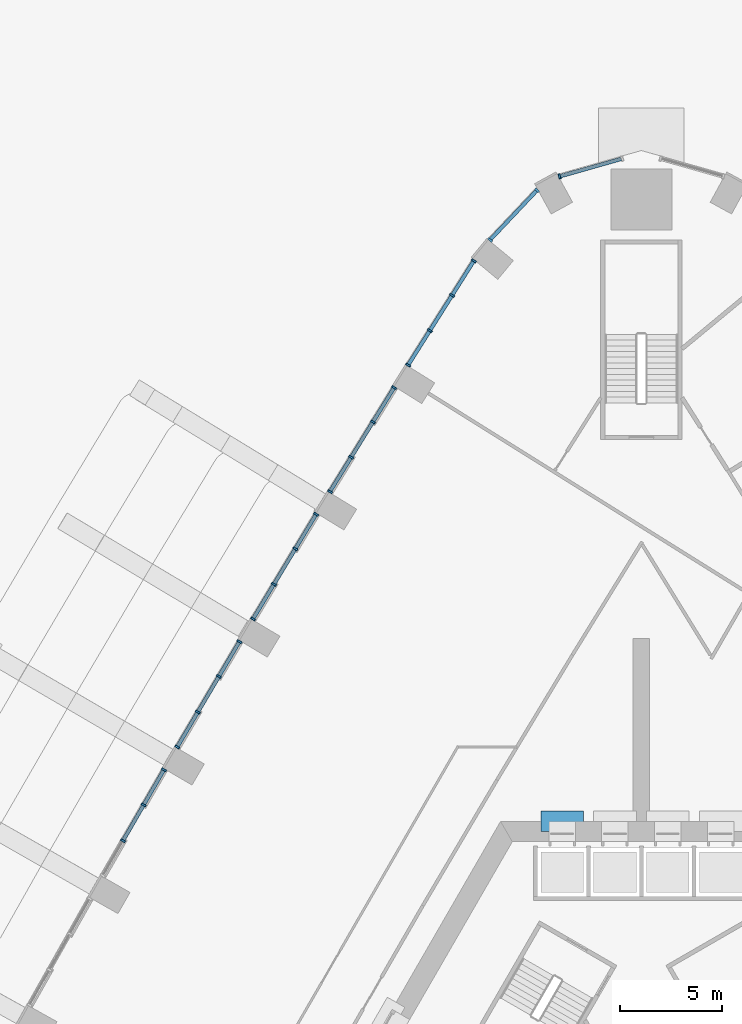
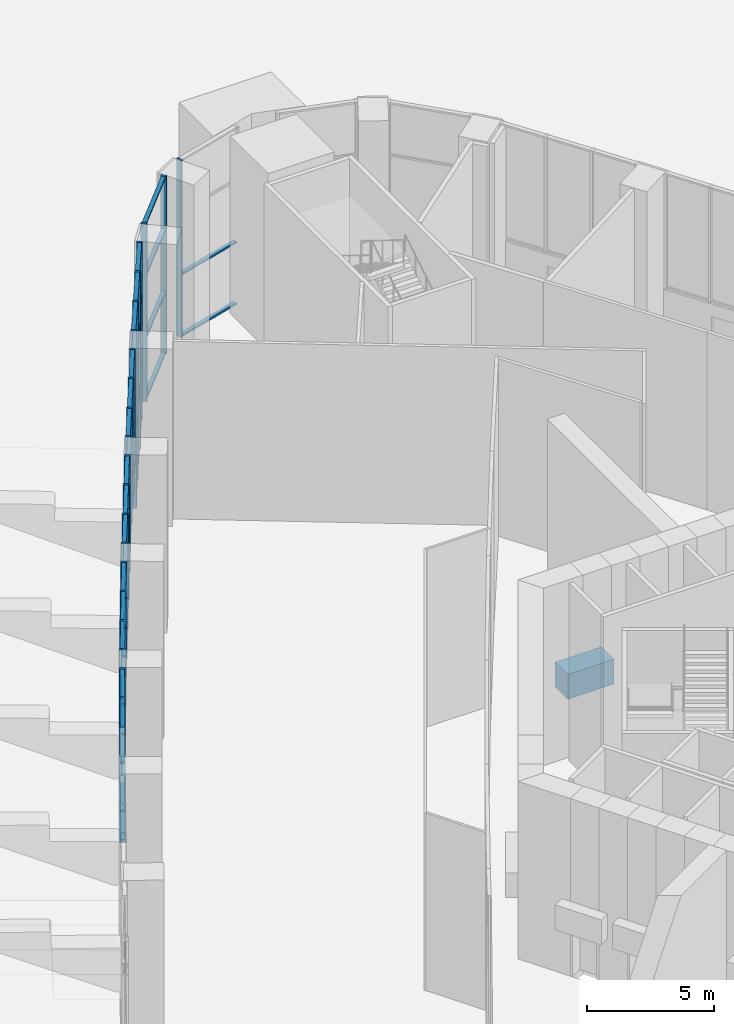
# One storey, part 8 of 36: 62 members, 1 beam, 7 elements without a shape of their own.
"""IFC4 building model written with IfcOpenShell, lengths in metres."""

from ifc_helpers import new_model, si_unit, direction, frame, origin, origin_2d, place, context, subcontext, project, spatial, rectangle, extrude, material, material_profile, profile_set, type_object, element, aggregate, save


model = new_model("IFC4")

# Units and contexts
model_context = context("Model", 3, precision=1e-05, world=origin(), true_north=direction((0.0, 1.0)))
body_context = subcontext(model_context, "Body", "Model", "MODEL_VIEW")
ifc_project = project(units=[si_unit("LENGTHUNIT", "METRE"), si_unit("AREAUNIT", "SQUARE_METRE"), si_unit("VOLUMEUNIT", "CUBIC_METRE"), si_unit("PLANEANGLEUNIT", "RADIAN"), si_unit("MASSUNIT", "GRAM", prefix="KILO")], contexts=[model_context])

# Site, building, storey
site_placement = place(None, origin())
site = spatial("IfcSite", under=ifc_project, at=site_placement, CompositionType="ELEMENT")
building_placement = place(site_placement, origin())
building = spatial("IfcBuilding", under=site, at=building_placement, Name="Entoto Arch Interchange Tower", CompositionType="ELEMENT")
storey_placement = place(building_placement, origin())
storey = spatial("IfcBuildingStorey", under=building, at=storey_placement, Name="L00", CompositionType="ELEMENT", Elevation=0.0)

# Beam
ifc_material_1 = material(Name="Concrete C60/75", Category="concrete")
ifc_material_profile_1 = material_profile(ifc_material_1, rectangle(XDim=1.0, YDim=1.199951171875, at=origin_2d()))
ifc_profile_set_1 = profile_set([ifc_material_profile_1], Name="Concrete C60/75")
beam_type = type_object("IfcBeamType", Name="Coupling beam RC 1000x1200 C60/75", PredefinedType="BEAM", material=ifc_profile_set_1)
beam_placement = place(storey_placement, frame((-2.85009765625, 14.5, 3.0), z_axis=(-1.0, 0.0, 0.0), x_axis=(0.0, -1.0, 0.0)))
element("IfcBeam", 1, at=beam_placement, inside=storey, type_object=beam_type, Name="Coupling beam N L00", PredefinedType="BEAM", context=body_context, shape_type="SweptSolid", body=[
    extrude(rectangle(XDim=1.0, YDim=1.199951171875, at=origin_2d()), origin(), (0.0, 0.0, 1.0), 2.099853515625),
])

# Curtain wall, member
ifc_material_2 = material(Name="Aluminium, anodised", Category="aluminium")
curtain_wall_type = type_object("IfcCurtainWallType", Name="CURTAIN WALL GATE HALL", PredefinedType="NOTDEFINED", material=ifc_material_2)
curtain_wall_1_placement = place(storey_placement, origin())
curtain_wall_1 = element("IfcCurtainWall", 2, at=curtain_wall_1_placement, inside=storey, type_object=curtain_wall_type, Name="Gate Hall glazing N-03 L00", PredefinedType="NOTDEFINED")
ifc_material_profile_2 = material_profile(ifc_material_2, rectangle(XDim=0.25, YDim=0.10009765625, at=origin_2d()))
ifc_profile_set_2 = profile_set([ifc_material_profile_2], Name="Aluminium, anodised")
member_type_1 = type_object("IfcMemberType", Name="MULLION GATE HALL 100x250", PredefinedType="MULLION", material=ifc_profile_set_2)
member_1_placement = place(storey_placement, frame((-4.02587890625, 46.23876953125, 0.0), z_axis=(0.0, 0.0, 1.0), x_axis=(0.273280275934, -0.961934452437, 0.0)))
member_1 = element("IfcMember", 3, at=member_1_placement, type_object=member_type_1, Name="CWG mullion 2", PredefinedType="MULLION", context=body_context, shape_type="SweptSolid", body=[
    extrude(rectangle(XDim=0.25, YDim=0.10009765625, at=origin_2d()), origin(), (0.0, 0.0, 1.0), 8.550048828125),
])

# Curtain wall, members
curtain_wall_2_placement = place(storey_placement, origin())
curtain_wall_2 = element("IfcCurtainWall", 4, at=curtain_wall_2_placement, inside=storey, type_object=curtain_wall_type, Name="Gate Hall glazing N-04 L00", PredefinedType="NOTDEFINED")
member_2_placement = place(storey_placement, frame((-5.13427734375, 45.55859375, 0.0), z_axis=(0.0, 0.0, 1.0), x_axis=(0.726725176069, -0.686928321201, 0.0)))
member_2 = element("IfcMember", 5, at=member_2_placement, type_object=member_type_1, Name="CWG mullion 1", PredefinedType="MULLION", context=body_context, shape_type="SweptSolid", body=[
    extrude(rectangle(XDim=0.25, YDim=0.10009765625, at=origin_2d()), origin(), (0.0, 0.0, 1.0), 8.550048828125),
])
member_3_placement = place(storey_placement, frame((-7.44775390625, 43.111328125, 0.0), z_axis=(0.0, 0.0, 1.0), x_axis=(0.726725176069, -0.686928321201, 0.0)))
member_3 = element("IfcMember", 6, at=member_3_placement, type_object=member_type_1, Name="CWG mullion 2", PredefinedType="MULLION", context=body_context, shape_type="SweptSolid", body=[
    extrude(rectangle(XDim=0.25, YDim=0.10009765625, at=origin_2d()), origin(), (0.0, 0.0, 1.0), 8.550048828125),
])

curtain_wall_3_placement = place(storey_placement, origin())
curtain_wall_3 = element("IfcCurtainWall", 7, at=curtain_wall_3_placement, inside=storey, type_object=curtain_wall_type, Name="Gate Hall glazing NW-01 L00", PredefinedType="NOTDEFINED")
member_4_placement = place(storey_placement, frame((-8.24462890625, 42.082763671875, 0.0), z_axis=(0.0, 0.0, 1.0), x_axis=(0.845959022564, -0.533247908708, 0.0)))
member_4 = element("IfcMember", 8, at=member_4_placement, type_object=member_type_1, Name="CWG mullion 1", PredefinedType="MULLION", context=body_context, shape_type="SweptSolid", body=[
    extrude(rectangle(XDim=0.25, YDim=0.10009765625, at=origin_2d()), origin(), (0.0, 0.0, 1.0), 8.550048828125),
])
member_5_placement = place(storey_placement, frame((-9.313232421875, 40.387451171875, 0.0), z_axis=(0.0, 0.0, 1.0), x_axis=(0.845959022564, -0.533247908708, 0.0)))
member_5 = element("IfcMember", 9, at=member_5_placement, type_object=member_type_1, Name="CWG mullion 2", PredefinedType="MULLION", context=body_context, shape_type="SweptSolid", body=[
    extrude(rectangle(XDim=0.25, YDim=0.10009765625, at=origin_2d()), origin(), (0.0, 0.0, 1.0), 8.550048828125),
])
member_6_placement = place(storey_placement, frame((-10.40869140625, 38.649658203125, 0.0), z_axis=(0.0, 0.0, 1.0), x_axis=(0.845959022564, -0.533247908708, 0.0)))
member_6 = element("IfcMember", 10, at=member_6_placement, type_object=member_type_1, Name="CWG mullion 3", PredefinedType="MULLION", context=body_context, shape_type="SweptSolid", body=[
    extrude(rectangle(XDim=0.25, YDim=0.10009765625, at=origin_2d()), origin(), (0.0, 0.0, 1.0), 8.550048828125),
])
member_7_placement = place(storey_placement, frame((-11.477294921875, 36.954345703125, 0.0), z_axis=(0.0, 0.0, 1.0), x_axis=(0.845959022564, -0.533247908708, 0.0)))
member_7 = element("IfcMember", 11, at=member_7_placement, type_object=member_type_1, Name="CWG mullion 4", PredefinedType="MULLION", context=body_context, shape_type="SweptSolid", body=[
    extrude(rectangle(XDim=0.25, YDim=0.10009765625, at=origin_2d()), origin(), (0.0, 0.0, 1.0), 8.550048828125),
])

curtain_wall_4_placement = place(storey_placement, origin())
curtain_wall_4 = element("IfcCurtainWall", 12, at=curtain_wall_4_placement, inside=storey, type_object=curtain_wall_type, Name="Gate Hall glazing NW-02 L00", PredefinedType="NOTDEFINED")
member_8_placement = place(storey_placement, frame((-12.165283203125, 35.849365234375, 3.0), z_axis=(0.0, 0.0, 1.0), x_axis=(0.851096618494, -0.525009091339, 0.0)))
member_8 = element("IfcMember", 13, at=member_8_placement, type_object=member_type_1, Name="CWG mullion 1", PredefinedType="MULLION", context=body_context, shape_type="SweptSolid", body=[
    extrude(rectangle(XDim=0.25, YDim=0.10009765625, at=origin_2d()), origin(), (0.0, 0.0, 1.0), 5.550048828125),
])
member_9_placement = place(storey_placement, frame((-13.209716796875, 34.15625, 3.0), z_axis=(0.0, 0.0, 1.0), x_axis=(0.851096618494, -0.525009091339, 0.0)))
member_9 = element("IfcMember", 14, at=member_9_placement, type_object=member_type_1, Name="CWG mullion 2", PredefinedType="MULLION", context=body_context, shape_type="SweptSolid", body=[
    extrude(rectangle(XDim=0.25, YDim=0.10009765625, at=origin_2d()), origin(), (0.0, 0.0, 1.0), 5.550048828125),
])
member_10_placement = place(storey_placement, frame((-14.2802734375, 32.420654296875, 3.0), z_axis=(0.0, 0.0, 1.0), x_axis=(0.851096618494, -0.525009091339, 0.0)))
member_10 = element("IfcMember", 15, at=member_10_placement, type_object=member_type_1, Name="CWG mullion 3", PredefinedType="MULLION", context=body_context, shape_type="SweptSolid", body=[
    extrude(rectangle(XDim=0.25, YDim=0.10009765625, at=origin_2d()), origin(), (0.0, 0.0, 1.0), 5.550048828125),
])
member_11_placement = place(storey_placement, frame((-15.32470703125, 30.7275390625, 3.0), z_axis=(0.0, 0.0, 1.0), x_axis=(0.851096618494, -0.525009091339, 0.0)))
member_11 = element("IfcMember", 16, at=member_11_placement, type_object=member_type_1, Name="CWG mullion 4", PredefinedType="MULLION", context=body_context, shape_type="SweptSolid", body=[
    extrude(rectangle(XDim=0.25, YDim=0.10009765625, at=origin_2d()), origin(), (0.0, 0.0, 1.0), 5.550048828125),
])

curtain_wall_5_placement = place(storey_placement, origin())
curtain_wall_5 = element("IfcCurtainWall", 17, at=curtain_wall_5_placement, inside=storey, type_object=curtain_wall_type, Name="Gate Hall glazing NW-03 L00", PredefinedType="NOTDEFINED")
member_12_placement = place(storey_placement, frame((-16.001953125, 29.615234375, 3.0), z_axis=(0.0, 0.0, 1.0), x_axis=(0.856177687614, -0.516681494958, 0.0)))
member_12 = element("IfcMember", 18, at=member_12_placement, type_object=member_type_1, Name="CWG mullion 1", PredefinedType="MULLION", context=body_context, shape_type="SweptSolid", body=[
    extrude(rectangle(XDim=0.25, YDim=0.10009765625, at=origin_2d()), origin(), (0.0, 0.0, 1.0), 5.550048828125),
])
member_13_placement = place(storey_placement, frame((-17.02978515625, 27.912109375, 3.0), z_axis=(0.0, 0.0, 1.0), x_axis=(0.856177687614, -0.516681494958, 0.0)))
member_13 = element("IfcMember", 19, at=member_13_placement, type_object=member_type_1, Name="CWG mullion 2", PredefinedType="MULLION", context=body_context, shape_type="SweptSolid", body=[
    extrude(rectangle(XDim=0.25, YDim=0.10009765625, at=origin_2d()), origin(), (0.0, 0.0, 1.0), 5.550048828125),
])
member_14_placement = place(storey_placement, frame((-18.083251953125, 26.166015625, 3.0), z_axis=(0.0, 0.0, 1.0), x_axis=(0.856177687614, -0.516681494958, 0.0)))
member_14 = element("IfcMember", 20, at=member_14_placement, type_object=member_type_1, Name="CWG mullion 3", PredefinedType="MULLION", context=body_context, shape_type="SweptSolid", body=[
    extrude(rectangle(XDim=0.25, YDim=0.10009765625, at=origin_2d()), origin(), (0.0, 0.0, 1.0), 5.550048828125),
])
member_15_placement = place(storey_placement, frame((-19.111083984375, 24.462890625, 3.0), z_axis=(0.0, 0.0, 1.0), x_axis=(0.856177687614, -0.516681494958, 0.0)))
member_15 = element("IfcMember", 21, at=member_15_placement, type_object=member_type_1, Name="CWG mullion 4", PredefinedType="MULLION", context=body_context, shape_type="SweptSolid", body=[
    extrude(rectangle(XDim=0.25, YDim=0.10009765625, at=origin_2d()), origin(), (0.0, 0.0, 1.0), 5.550048828125),
])

curtain_wall_6_placement = place(storey_placement, origin())
curtain_wall_6 = element("IfcCurtainWall", 22, at=curtain_wall_6_placement, inside=storey, type_object=curtain_wall_type, Name="Gate Hall glazing NW-04 L00", PredefinedType="NOTDEFINED")
member_16_placement = place(storey_placement, frame((-19.7783203125, 23.344970703125, 3.0), z_axis=(0.0, 0.0, 1.0), x_axis=(0.861063165733, -0.508498008469, 0.0)))
member_16 = element("IfcMember", 23, at=member_16_placement, type_object=member_type_1, Name="CWG mullion 1", PredefinedType="MULLION", context=body_context, shape_type="SweptSolid", body=[
    extrude(rectangle(XDim=0.25, YDim=0.10009765625, at=origin_2d()), origin(), (0.0, 0.0, 1.0), 5.550048828125),
])
member_17_placement = place(storey_placement, frame((-20.7900390625, 21.632080078125, 3.0), z_axis=(0.0, 0.0, 1.0), x_axis=(0.861063165733, -0.508498008469, 0.0)))
member_17 = element("IfcMember", 24, at=member_17_placement, type_object=member_type_1, Name="CWG mullion 2", PredefinedType="MULLION", context=body_context, shape_type="SweptSolid", body=[
    extrude(rectangle(XDim=0.25, YDim=0.10009765625, at=origin_2d()), origin(), (0.0, 0.0, 1.0), 5.550048828125),
])
member_18_placement = place(storey_placement, frame((-21.826904296875, 19.8759765625, 3.0), z_axis=(0.0, 0.0, 1.0), x_axis=(0.861063165733, -0.508498008469, 0.0)))
member_18 = element("IfcMember", 25, at=member_18_placement, type_object=member_type_1, Name="CWG mullion 3", PredefinedType="MULLION", context=body_context, shape_type="SweptSolid", body=[
    extrude(rectangle(XDim=0.25, YDim=0.10009765625, at=origin_2d()), origin(), (0.0, 0.0, 1.0), 5.550048828125),
])
member_19_placement = place(storey_placement, frame((-22.838623046875, 18.1630859375, 3.0), z_axis=(0.0, 0.0, 1.0), x_axis=(0.861063165733, -0.508498008469, 0.0)))
member_19 = element("IfcMember", 26, at=member_19_placement, type_object=member_type_1, Name="CWG mullion 4", PredefinedType="MULLION", context=body_context, shape_type="SweptSolid", body=[
    extrude(rectangle(XDim=0.25, YDim=0.10009765625, at=origin_2d()), origin(), (0.0, 0.0, 1.0), 5.550048828125),
])

curtain_wall_7_placement = place(storey_placement, origin())
curtain_wall_7 = element("IfcCurtainWall", 27, at=curtain_wall_7_placement, inside=storey, type_object=curtain_wall_type, Name="Gate Hall glazing NW-05 L00", PredefinedType="NOTDEFINED")
member_20_placement = place(storey_placement, frame((-23.493896484375, 17.03759765625, 3.0), z_axis=(0.0, 0.0, 1.0), x_axis=(0.865929596866, -0.500165905747, 0.0)))
member_20 = element("IfcMember", 28, at=member_20_placement, type_object=member_type_1, Name="CWG mullion 1", PredefinedType="MULLION", context=body_context, shape_type="SweptSolid", body=[
    extrude(rectangle(XDim=0.25, YDim=0.10009765625, at=origin_2d()), origin(), (0.0, 0.0, 1.0), 5.550048828125),
])
member_21_placement = place(storey_placement, frame((-24.48876953125, 15.315673828125, 3.0), z_axis=(0.0, 0.0, 1.0), x_axis=(0.865929596866, -0.500165905747, 0.0)))
member_21 = element("IfcMember", 29, at=member_21_placement, type_object=member_type_1, Name="CWG mullion 2", PredefinedType="MULLION", context=body_context, shape_type="SweptSolid", body=[
    extrude(rectangle(XDim=0.25, YDim=0.10009765625, at=origin_2d()), origin(), (0.0, 0.0, 1.0), 5.550048828125),
])
member_22_placement = place(storey_placement, frame((-25.50830078125, 13.55029296875, 3.0), z_axis=(0.0, 0.0, 1.0), x_axis=(0.865929596866, -0.500165905747, 0.0)))
member_22 = element("IfcMember", 30, at=member_22_placement, type_object=member_type_1, Name="CWG mullion 3", PredefinedType="MULLION", context=body_context, shape_type="SweptSolid", body=[
    extrude(rectangle(XDim=0.25, YDim=0.10009765625, at=origin_2d()), origin(), (0.0, 0.0, 1.0), 5.550048828125),
])

# Member
ifc_material_profile_3 = material_profile(ifc_material_2, rectangle(XDim=0.179931640625, YDim=0.080078125, at=origin_2d()))
ifc_profile_set_3 = profile_set([ifc_material_profile_3], Name="Aluminium, anodised")
member_type_2 = type_object("IfcMemberType", Name="TRANSOM GATE HALL 80x180", PredefinedType="USERDEFINED", material=ifc_profile_set_3)
member_23_placement = place(storey_placement, frame((-0.9951171875, 47.099609375, 0.0400390625), z_axis=(-0.961950644588, -0.273223273858, 0.0), x_axis=(0.273223273858, -0.961950644588, 0.0)))
member_23 = element("IfcMember", 31, at=member_23_placement, type_object=member_type_2, Name="CWG transom 1.1", ObjectType="TRANSOM", PredefinedType="USERDEFINED", context=body_context, shape_type="SweptSolid", body=[
    extrude(rectangle(XDim=0.179931640625, YDim=0.080078125, at=origin_2d()), origin(), (0.0, 0.0, 1.0), 3.1005859375),
])

member_24_placement = place(storey_placement, frame((-0.9951171875, 47.099609375, 3.0), z_axis=(-0.961950644588, -0.273223273858, 0.0), x_axis=(0.273223273858, -0.961950644588, 0.0)))
member_24 = element("IfcMember", 32, at=member_24_placement, type_object=member_type_2, Name="CWG transom 1.2", ObjectType="TRANSOM", PredefinedType="USERDEFINED", context=body_context, shape_type="SweptSolid", body=[
    extrude(rectangle(XDim=0.179931640625, YDim=0.080078125, at=origin_2d()), origin(), (0.0, 0.0, 1.0), 3.1005859375),
])

aggregate(curtain_wall_1, [member_1, member_23, member_24])

member_25_placement = place(storey_placement, frame((-5.168701171875, 45.522216796875, 0.0400390625), z_axis=(-0.686952560838, -0.726702263075, 0.0), x_axis=(0.726702263075, -0.686952560838, 0.0)))
member_25 = element("IfcMember", 33, at=member_25_placement, type_object=member_type_2, Name="CWG transom 1.1", ObjectType="TRANSOM", PredefinedType="USERDEFINED", context=body_context, shape_type="SweptSolid", body=[
    extrude(rectangle(XDim=0.179931640625, YDim=0.080078125, at=origin_2d()), origin(), (0.0, 0.0, 1.0), 3.267578125),
])

member_26_placement = place(storey_placement, frame((-5.168701171875, 45.522216796875, 3.0), z_axis=(-0.686952560838, -0.726702263075, 0.0), x_axis=(0.726702263075, -0.686952560838, 0.0)))
member_26 = element("IfcMember", 34, at=member_26_placement, type_object=member_type_2, Name="CWG transom 1.2", ObjectType="TRANSOM", PredefinedType="USERDEFINED", context=body_context, shape_type="SweptSolid", body=[
    extrude(rectangle(XDim=0.179931640625, YDim=0.080078125, at=origin_2d()), origin(), (0.0, 0.0, 1.0), 3.267578125),
])

member_27_placement = place(storey_placement, frame((-5.168701171875, 45.522216796875, 6.0), z_axis=(-0.686952560838, -0.726702263075, 0.0), x_axis=(0.726702263075, -0.686952560838, 0.0)))
member_27 = element("IfcMember", 35, at=member_27_placement, type_object=member_type_2, Name="CWG transom 1.3", ObjectType="TRANSOM", PredefinedType="USERDEFINED", context=body_context, shape_type="SweptSolid", body=[
    extrude(rectangle(XDim=0.179931640625, YDim=0.080078125, at=origin_2d()), origin(), (0.0, 0.0, 1.0), 3.267578125),
])

member_28_placement = place(storey_placement, frame((-5.168701171875, 45.522216796875, 8.510009765625), z_axis=(-0.686952560838, -0.726702263075, 0.0), x_axis=(0.726702263075, -0.686952560838, 0.0)))
member_28 = element("IfcMember", 36, at=member_28_placement, type_object=member_type_2, Name="CWG transom 1.4", ObjectType="TRANSOM", PredefinedType="USERDEFINED", context=body_context, shape_type="SweptSolid", body=[
    extrude(rectangle(XDim=0.179931640625, YDim=0.080078125, at=origin_2d()), origin(), (0.0, 0.0, 1.0), 3.267578125),
])

aggregate(curtain_wall_2, [member_2, member_3, member_25, member_26, member_27, member_28])

member_29_placement = place(storey_placement, frame((-8.271240234375, 42.040283203125, 0.0400390625), z_axis=(-0.533302918138, -0.845924345025, 0.0), x_axis=(0.845924345025, -0.533302918138, 0.0)))
member_29 = element("IfcMember", 37, at=member_29_placement, type_object=member_type_2, Name="CWG transom 1.1", ObjectType="TRANSOM", PredefinedType="USERDEFINED", context=body_context, shape_type="SweptSolid", body=[
    extrude(rectangle(XDim=0.179931640625, YDim=0.080078125, at=origin_2d()), origin(), (0.0, 0.0, 1.0), 1.904052734375),
])

member_30_placement = place(storey_placement, frame((-8.271240234375, 42.040283203125, 3.0), z_axis=(-0.533302918138, -0.845924345025, 0.0), x_axis=(0.845924345025, -0.533302918138, 0.0)))
member_30 = element("IfcMember", 38, at=member_30_placement, type_object=member_type_2, Name="CWG transom 1.2", ObjectType="TRANSOM", PredefinedType="USERDEFINED", context=body_context, shape_type="SweptSolid", body=[
    extrude(rectangle(XDim=0.179931640625, YDim=0.080078125, at=origin_2d()), origin(), (0.0, 0.0, 1.0), 1.904052734375),
])

member_31_placement = place(storey_placement, frame((-8.271240234375, 42.040283203125, 6.0), z_axis=(-0.533302918138, -0.845924345025, 0.0), x_axis=(0.845924345025, -0.533302918138, 0.0)))
member_31 = element("IfcMember", 39, at=member_31_placement, type_object=member_type_2, Name="CWG transom 1.3", ObjectType="TRANSOM", PredefinedType="USERDEFINED", context=body_context, shape_type="SweptSolid", body=[
    extrude(rectangle(XDim=0.179931640625, YDim=0.080078125, at=origin_2d()), origin(), (0.0, 0.0, 1.0), 1.904052734375),
])

member_32_placement = place(storey_placement, frame((-8.271240234375, 42.040283203125, 8.510009765625), z_axis=(-0.533302918138, -0.845924345025, 0.0), x_axis=(0.845924345025, -0.533302918138, 0.0)))
member_32 = element("IfcMember", 40, at=member_32_placement, type_object=member_type_2, Name="CWG transom 1.4", ObjectType="TRANSOM", PredefinedType="USERDEFINED", context=body_context, shape_type="SweptSolid", body=[
    extrude(rectangle(XDim=0.179931640625, YDim=0.080078125, at=origin_2d()), origin(), (0.0, 0.0, 1.0), 1.904052734375),
])

member_33_placement = place(storey_placement, frame((-9.340087890625, 40.344970703125, 0.0400390625), z_axis=(-0.533240670635, -0.845963585021, 0.0), x_axis=(0.845963585021, -0.533240670635, 0.0)))
member_33 = element("IfcMember", 41, at=member_33_placement, type_object=member_type_2, Name="CWG transom 2.1", ObjectType="TRANSOM", PredefinedType="USERDEFINED", context=body_context, shape_type="SweptSolid", body=[
    extrude(rectangle(XDim=0.179931640625, YDim=0.080078125, at=origin_2d()), origin(), (0.0, 0.0, 1.0), 1.9541015625),
])

member_34_placement = place(storey_placement, frame((-9.340087890625, 40.344970703125, 3.0), z_axis=(-0.533240670635, -0.845963585021, 0.0), x_axis=(0.845963585021, -0.533240670635, 0.0)))
member_34 = element("IfcMember", 42, at=member_34_placement, type_object=member_type_2, Name="CWG transom 2.2", ObjectType="TRANSOM", PredefinedType="USERDEFINED", context=body_context, shape_type="SweptSolid", body=[
    extrude(rectangle(XDim=0.179931640625, YDim=0.080078125, at=origin_2d()), origin(), (0.0, 0.0, 1.0), 1.9541015625),
])

member_35_placement = place(storey_placement, frame((-9.340087890625, 40.344970703125, 6.0), z_axis=(-0.533240670635, -0.845963585021, 0.0), x_axis=(0.845963585021, -0.533240670635, 0.0)))
member_35 = element("IfcMember", 43, at=member_35_placement, type_object=member_type_2, Name="CWG transom 2.3", ObjectType="TRANSOM", PredefinedType="USERDEFINED", context=body_context, shape_type="SweptSolid", body=[
    extrude(rectangle(XDim=0.179931640625, YDim=0.080078125, at=origin_2d()), origin(), (0.0, 0.0, 1.0), 1.9541015625),
])

member_36_placement = place(storey_placement, frame((-9.340087890625, 40.344970703125, 8.510009765625), z_axis=(-0.533240670635, -0.845963585021, 0.0), x_axis=(0.845963585021, -0.533240670635, 0.0)))
member_36 = element("IfcMember", 44, at=member_36_placement, type_object=member_type_2, Name="CWG transom 2.4", ObjectType="TRANSOM", PredefinedType="USERDEFINED", context=body_context, shape_type="SweptSolid", body=[
    extrude(rectangle(XDim=0.179931640625, YDim=0.080078125, at=origin_2d()), origin(), (0.0, 0.0, 1.0), 1.9541015625),
])

member_37_placement = place(storey_placement, frame((-10.435302734375, 38.607421875, 0.0400390625), z_axis=(-0.533245074876, -0.845960808856, 0.0), x_axis=(0.845960808856, -0.533245074876, 0.0)))
member_37 = element("IfcMember", 45, at=member_37_placement, type_object=member_type_2, Name="CWG transom 3.1", ObjectType="TRANSOM", PredefinedType="USERDEFINED", context=body_context, shape_type="SweptSolid", body=[
    extrude(rectangle(XDim=0.179931640625, YDim=0.080078125, at=origin_2d()), origin(), (0.0, 0.0, 1.0), 1.904052734375),
])

member_38_placement = place(storey_placement, frame((-10.435302734375, 38.607421875, 3.0), z_axis=(-0.533245074876, -0.845960808856, 0.0), x_axis=(0.845960808856, -0.533245074876, 0.0)))
member_38 = element("IfcMember", 46, at=member_38_placement, type_object=member_type_2, Name="CWG transom 3.2", ObjectType="TRANSOM", PredefinedType="USERDEFINED", context=body_context, shape_type="SweptSolid", body=[
    extrude(rectangle(XDim=0.179931640625, YDim=0.080078125, at=origin_2d()), origin(), (0.0, 0.0, 1.0), 1.904052734375),
])

member_39_placement = place(storey_placement, frame((-10.435302734375, 38.607421875, 6.0), z_axis=(-0.533245074876, -0.845960808856, 0.0), x_axis=(0.845960808856, -0.533245074876, 0.0)))
member_39 = element("IfcMember", 47, at=member_39_placement, type_object=member_type_2, Name="CWG transom 3.3", ObjectType="TRANSOM", PredefinedType="USERDEFINED", context=body_context, shape_type="SweptSolid", body=[
    extrude(rectangle(XDim=0.179931640625, YDim=0.080078125, at=origin_2d()), origin(), (0.0, 0.0, 1.0), 1.904052734375),
])

member_40_placement = place(storey_placement, frame((-10.435302734375, 38.607421875, 8.510009765625), z_axis=(-0.533245074876, -0.845960808856, 0.0), x_axis=(0.845960808856, -0.533245074876, 0.0)))
member_40 = element("IfcMember", 48, at=member_40_placement, type_object=member_type_2, Name="CWG transom 3.4", ObjectType="TRANSOM", PredefinedType="USERDEFINED", context=body_context, shape_type="SweptSolid", body=[
    extrude(rectangle(XDim=0.179931640625, YDim=0.080078125, at=origin_2d()), origin(), (0.0, 0.0, 1.0), 1.904052734375),
])

aggregate(curtain_wall_3, [member_4, member_5, member_6, member_7, member_29, member_30, member_31, member_32, member_33, member_34, member_35, member_36, member_37, member_38, member_39, member_40])

member_41_placement = place(storey_placement, frame((-12.19140625, 35.806884765625, 3.0400390625), z_axis=(-0.525041611336, -0.851076557288, 0.0), x_axis=(0.851076557288, -0.525041611336, 0.0)))
member_41 = element("IfcMember", 49, at=member_41_placement, type_object=member_type_2, Name="CWG transom 1.1", ObjectType="TRANSOM", PredefinedType="USERDEFINED", context=body_context, shape_type="SweptSolid", body=[
    extrude(rectangle(XDim=0.179931640625, YDim=0.080078125, at=origin_2d()), origin(), (0.0, 0.0, 1.0), 1.88916015625),
])

member_42_placement = place(storey_placement, frame((-12.19140625, 35.806884765625, 8.510009765625), z_axis=(-0.525041611336, -0.851076557288, 0.0), x_axis=(0.851076557288, -0.525041611336, 0.0)))
member_42 = element("IfcMember", 50, at=member_42_placement, type_object=member_type_2, Name="CWG transom 1.2", ObjectType="TRANSOM", PredefinedType="USERDEFINED", context=body_context, shape_type="SweptSolid", body=[
    extrude(rectangle(XDim=0.179931640625, YDim=0.080078125, at=origin_2d()), origin(), (0.0, 0.0, 1.0), 1.88916015625),
])

member_43_placement = place(storey_placement, frame((-13.23583984375, 34.11376953125, 3.0400390625), z_axis=(-0.525045252391, -0.851074311057, 0.0), x_axis=(0.851074311057, -0.525045252391, 0.0)))
member_43 = element("IfcMember", 51, at=member_43_placement, type_object=member_type_2, Name="CWG transom 2.1", ObjectType="TRANSOM", PredefinedType="USERDEFINED", context=body_context, shape_type="SweptSolid", body=[
    extrude(rectangle(XDim=0.179931640625, YDim=0.080078125, at=origin_2d()), origin(), (0.0, 0.0, 1.0), 1.939453125),
])

member_44_placement = place(storey_placement, frame((-13.23583984375, 34.11376953125, 8.510009765625), z_axis=(-0.525045252391, -0.851074311057, 0.0), x_axis=(0.851074311057, -0.525045252391, 0.0)))
member_44 = element("IfcMember", 52, at=member_44_placement, type_object=member_type_2, Name="CWG transom 2.2", ObjectType="TRANSOM", PredefinedType="USERDEFINED", context=body_context, shape_type="SweptSolid", body=[
    extrude(rectangle(XDim=0.179931640625, YDim=0.080078125, at=origin_2d()), origin(), (0.0, 0.0, 1.0), 1.939453125),
])

member_45_placement = place(storey_placement, frame((-14.306640625, 32.378173828125, 3.0400390625), z_axis=(-0.524983872161, -0.851112174729, 0.0), x_axis=(0.851112174729, -0.524983872161, 0.0)))
member_45 = element("IfcMember", 53, at=member_45_placement, type_object=member_type_2, Name="CWG transom 3.1", ObjectType="TRANSOM", PredefinedType="USERDEFINED", context=body_context, shape_type="SweptSolid", body=[
    extrude(rectangle(XDim=0.179931640625, YDim=0.080078125, at=origin_2d()), origin(), (0.0, 0.0, 1.0), 1.889404296875),
])

member_46_placement = place(storey_placement, frame((-14.306640625, 32.378173828125, 8.510009765625), z_axis=(-0.524983872161, -0.851112174729, 0.0), x_axis=(0.851112174729, -0.524983872161, 0.0)))
member_46 = element("IfcMember", 54, at=member_46_placement, type_object=member_type_2, Name="CWG transom 3.2", ObjectType="TRANSOM", PredefinedType="USERDEFINED", context=body_context, shape_type="SweptSolid", body=[
    extrude(rectangle(XDim=0.179931640625, YDim=0.080078125, at=origin_2d()), origin(), (0.0, 0.0, 1.0), 1.889404296875),
])

aggregate(curtain_wall_4, [member_8, member_9, member_10, member_11, member_41, member_42, member_43, member_44, member_45, member_46])

member_47_placement = place(storey_placement, frame((-16.027587890625, 29.572265625, 3.0400390625), z_axis=(-0.516774393141, -0.856121619044, 0.0), x_axis=(0.856121619044, -0.516774393141, 0.0)))
member_47 = element("IfcMember", 55, at=member_47_placement, type_object=member_type_2, Name="CWG transom 1.1", ObjectType="TRANSOM", PredefinedType="USERDEFINED", context=body_context, shape_type="SweptSolid", body=[
    extrude(rectangle(XDim=0.179931640625, YDim=0.080078125, at=origin_2d()), origin(), (0.0, 0.0, 1.0), 1.88916015625),
])

member_48_placement = place(storey_placement, frame((-16.027587890625, 29.572265625, 8.510009765625), z_axis=(-0.516774393141, -0.856121619044, 0.0), x_axis=(0.856121619044, -0.516774393141, 0.0)))
member_48 = element("IfcMember", 56, at=member_48_placement, type_object=member_type_2, Name="CWG transom 1.2", ObjectType="TRANSOM", PredefinedType="USERDEFINED", context=body_context, shape_type="SweptSolid", body=[
    extrude(rectangle(XDim=0.179931640625, YDim=0.080078125, at=origin_2d()), origin(), (0.0, 0.0, 1.0), 1.88916015625),
])

member_49_placement = place(storey_placement, frame((-17.055419921875, 27.869140625, 3.0400390625), z_axis=(-0.516752472031, -0.856134850739, 0.0), x_axis=(0.856134850739, -0.516752472031, 0.0)))
member_49 = element("IfcMember", 57, at=member_49_placement, type_object=member_type_2, Name="CWG transom 2.1", ObjectType="TRANSOM", PredefinedType="USERDEFINED", context=body_context, shape_type="SweptSolid", body=[
    extrude(rectangle(XDim=0.179931640625, YDim=0.080078125, at=origin_2d()), origin(), (0.0, 0.0, 1.0), 1.939453125),
])

member_50_placement = place(storey_placement, frame((-17.055419921875, 27.869140625, 8.510009765625), z_axis=(-0.516752472031, -0.856134850739, 0.0), x_axis=(0.856134850739, -0.516752472031, 0.0)))
member_50 = element("IfcMember", 58, at=member_50_placement, type_object=member_type_2, Name="CWG transom 2.2", ObjectType="TRANSOM", PredefinedType="USERDEFINED", context=body_context, shape_type="SweptSolid", body=[
    extrude(rectangle(XDim=0.179931640625, YDim=0.080078125, at=origin_2d()), origin(), (0.0, 0.0, 1.0), 1.939453125),
])

member_51_placement = place(storey_placement, frame((-18.109130859375, 26.123291015625, 3.0400390625), z_axis=(-0.516717225965, -0.856156123842, 0.0), x_axis=(0.856156123842, -0.516717225965, 0.0)))
member_51 = element("IfcMember", 59, at=member_51_placement, type_object=member_type_2, Name="CWG transom 3.1", ObjectType="TRANSOM", PredefinedType="USERDEFINED", context=body_context, shape_type="SweptSolid", body=[
    extrude(rectangle(XDim=0.179931640625, YDim=0.080078125, at=origin_2d()), origin(), (0.0, 0.0, 1.0), 1.889404296875),
])

member_52_placement = place(storey_placement, frame((-18.109130859375, 26.123291015625, 8.510009765625), z_axis=(-0.516717225965, -0.856156123842, 0.0), x_axis=(0.856156123842, -0.516717225965, 0.0)))
member_52 = element("IfcMember", 60, at=member_52_placement, type_object=member_type_2, Name="CWG transom 3.2", ObjectType="TRANSOM", PredefinedType="USERDEFINED", context=body_context, shape_type="SweptSolid", body=[
    extrude(rectangle(XDim=0.179931640625, YDim=0.080078125, at=origin_2d()), origin(), (0.0, 0.0, 1.0), 1.889404296875),
])

aggregate(curtain_wall_5, [member_12, member_13, member_14, member_15, member_47, member_48, member_49, member_50, member_51, member_52])

member_53_placement = place(storey_placement, frame((-19.803955078125, 23.302001953125, 3.0400390625), z_axis=(-0.508459381016, -0.86108597588, 0.0), x_axis=(0.86108597588, -0.508459381016, 0.0)))
member_53 = element("IfcMember", 61, at=member_53_placement, type_object=member_type_2, Name="CWG transom 1.1", ObjectType="TRANSOM", PredefinedType="USERDEFINED", context=body_context, shape_type="SweptSolid", body=[
    extrude(rectangle(XDim=0.179931640625, YDim=0.080078125, at=origin_2d()), origin(), (0.0, 0.0, 1.0), 1.889404296875),
])

member_54_placement = place(storey_placement, frame((-19.803955078125, 23.302001953125, 8.510009765625), z_axis=(-0.508459381016, -0.86108597588, 0.0), x_axis=(0.86108597588, -0.508459381016, 0.0)))
member_54 = element("IfcMember", 62, at=member_54_placement, type_object=member_type_2, Name="CWG transom 1.2", ObjectType="TRANSOM", PredefinedType="USERDEFINED", context=body_context, shape_type="SweptSolid", body=[
    extrude(rectangle(XDim=0.179931640625, YDim=0.080078125, at=origin_2d()), origin(), (0.0, 0.0, 1.0), 1.889404296875),
])

member_55_placement = place(storey_placement, frame((-20.8154296875, 21.5888671875, 3.0400390625), z_axis=(-0.508466328491, -0.861081873454, 0.0), x_axis=(0.861081873454, -0.508466328491, 0.0)))
member_55 = element("IfcMember", 63, at=member_55_placement, type_object=member_type_2, Name="CWG transom 2.1", ObjectType="TRANSOM", PredefinedType="USERDEFINED", context=body_context, shape_type="SweptSolid", body=[
    extrude(rectangle(XDim=0.179931640625, YDim=0.080078125, at=origin_2d()), origin(), (0.0, 0.0, 1.0), 1.939208984375),
])

member_56_placement = place(storey_placement, frame((-20.8154296875, 21.5888671875, 8.510009765625), z_axis=(-0.508466328491, -0.861081873454, 0.0), x_axis=(0.861081873454, -0.508466328491, 0.0)))
member_56 = element("IfcMember", 64, at=member_56_placement, type_object=member_type_2, Name="CWG transom 2.2", ObjectType="TRANSOM", PredefinedType="USERDEFINED", context=body_context, shape_type="SweptSolid", body=[
    extrude(rectangle(XDim=0.179931640625, YDim=0.080078125, at=origin_2d()), origin(), (0.0, 0.0, 1.0), 1.939208984375),
])

member_57_placement = place(storey_placement, frame((-21.8525390625, 19.8330078125, 3.0400390625), z_axis=(-0.508459381016, -0.86108597588, 0.0), x_axis=(0.86108597588, -0.508459381016, 0.0)))
member_57 = element("IfcMember", 65, at=member_57_placement, type_object=member_type_2, Name="CWG transom 3.1", ObjectType="TRANSOM", PredefinedType="USERDEFINED", context=body_context, shape_type="SweptSolid", body=[
    extrude(rectangle(XDim=0.179931640625, YDim=0.080078125, at=origin_2d()), origin(), (0.0, 0.0, 1.0), 1.889404296875),
])

member_58_placement = place(storey_placement, frame((-21.8525390625, 19.8330078125, 8.510009765625), z_axis=(-0.508459381016, -0.86108597588, 0.0), x_axis=(0.86108597588, -0.508459381016, 0.0)))
member_58 = element("IfcMember", 66, at=member_58_placement, type_object=member_type_2, Name="CWG transom 3.2", ObjectType="TRANSOM", PredefinedType="USERDEFINED", context=body_context, shape_type="SweptSolid", body=[
    extrude(rectangle(XDim=0.179931640625, YDim=0.080078125, at=origin_2d()), origin(), (0.0, 0.0, 1.0), 1.889404296875),
])

aggregate(curtain_wall_6, [member_16, member_17, member_18, member_19, member_53, member_54, member_55, member_56, member_57, member_58])

member_59_placement = place(storey_placement, frame((-23.51904296875, 16.994384765625, 3.0400390625), z_axis=(-0.50012898999, -0.865950918569, 0.0), x_axis=(0.865950918569, -0.50012898999, 0.0)))
member_59 = element("IfcMember", 67, at=member_59_placement, type_object=member_type_2, Name="CWG transom 1.1", ObjectType="TRANSOM", PredefinedType="USERDEFINED", context=body_context, shape_type="SweptSolid", body=[
    extrude(rectangle(XDim=0.179931640625, YDim=0.080078125, at=origin_2d()), origin(), (0.0, 0.0, 1.0), 1.888671875),
])

member_60_placement = place(storey_placement, frame((-23.51904296875, 16.994384765625, 8.510009765625), z_axis=(-0.50012898999, -0.865950918569, 0.0), x_axis=(0.865950918569, -0.50012898999, 0.0)))
member_60 = element("IfcMember", 68, at=member_60_placement, type_object=member_type_2, Name="CWG transom 1.2", ObjectType="TRANSOM", PredefinedType="USERDEFINED", context=body_context, shape_type="SweptSolid", body=[
    extrude(rectangle(XDim=0.179931640625, YDim=0.080078125, at=origin_2d()), origin(), (0.0, 0.0, 1.0), 1.888671875),
])

member_61_placement = place(storey_placement, frame((-24.513671875, 15.2724609375, 3.0400390625), z_axis=(-0.500202064721, -0.865908710228, 0.0), x_axis=(0.865908710228, -0.500202064721, 0.0)))
member_61 = element("IfcMember", 69, at=member_61_placement, type_object=member_type_2, Name="CWG transom 2.1", ObjectType="TRANSOM", PredefinedType="USERDEFINED", context=body_context, shape_type="SweptSolid", body=[
    extrude(rectangle(XDim=0.179931640625, YDim=0.080078125, at=origin_2d()), origin(), (0.0, 0.0, 1.0), 1.938720703125),
])

member_62_placement = place(storey_placement, frame((-24.513671875, 15.2724609375, 8.510009765625), z_axis=(-0.500202064721, -0.865908710228, 0.0), x_axis=(0.865908710228, -0.500202064721, 0.0)))
member_62 = element("IfcMember", 70, at=member_62_placement, type_object=member_type_2, Name="CWG transom 2.2", ObjectType="TRANSOM", PredefinedType="USERDEFINED", context=body_context, shape_type="SweptSolid", body=[
    extrude(rectangle(XDim=0.179931640625, YDim=0.080078125, at=origin_2d()), origin(), (0.0, 0.0, 1.0), 1.938720703125),
])

aggregate(curtain_wall_7, [member_20, member_21, member_22, member_59, member_60, member_61, member_62])

save(model, "model.ifc")
